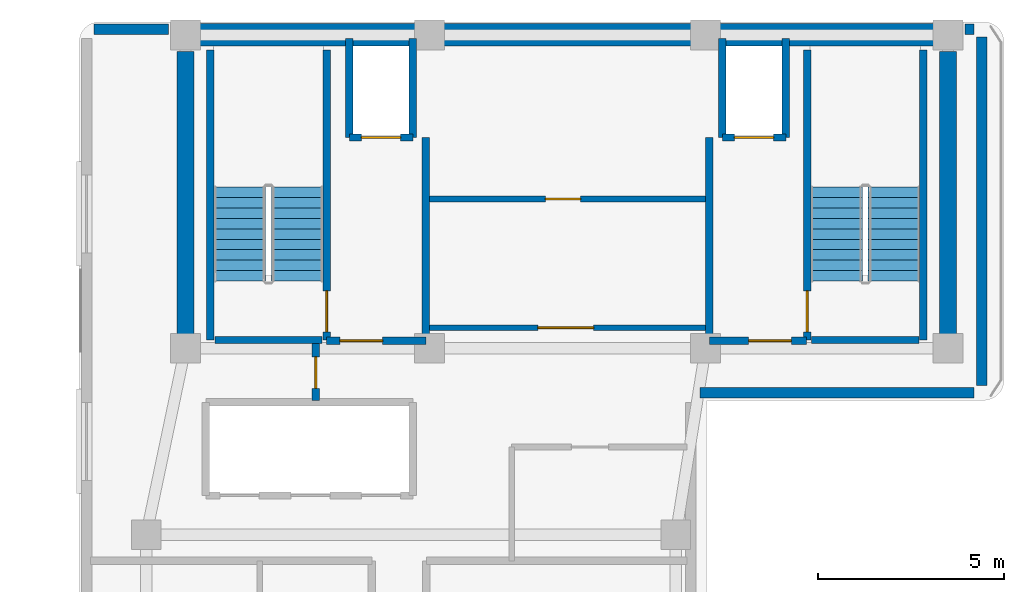
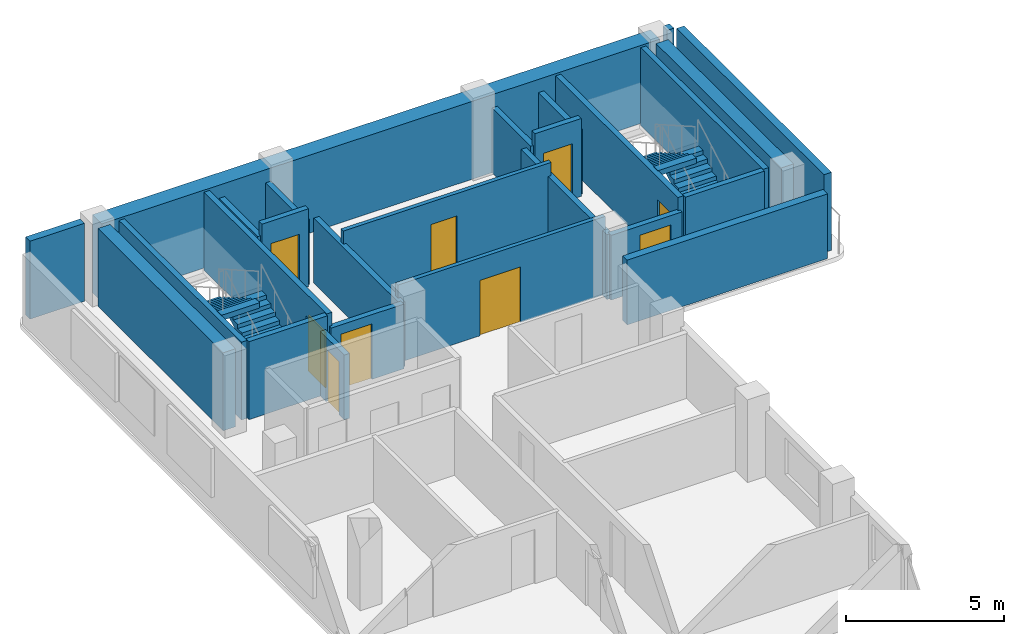
# One storey, part 3 of 5: 26 walls, 9 doors, 4 stair flights, 9 openings, 2 elements without a shape of their own.
"""IFC4 building model written with IfcOpenShell, lengths in metres."""

from ifc_helpers import new_model, si_unit, direction, frame, frame_2d, origin, place, context, subcontext, project, spatial, polyline, rectangle, outline, extrude, material, layer, layer_set, type_object, element, fill, aggregate, save


model = new_model("IFC4")

# Units and contexts
model_context = context("Model", 3, precision=1e-05, world=origin(), true_north=direction((0.0, 1.0)))
body_context = subcontext(model_context, "Body", "Model", "MODEL_VIEW")
ifc_project = project(units=[si_unit("LENGTHUNIT", "METRE"), si_unit("AREAUNIT", "SQUARE_METRE"), si_unit("VOLUMEUNIT", "CUBIC_METRE"), si_unit("PLANEANGLEUNIT", "RADIAN"), si_unit("MASSUNIT", "GRAM", prefix="KILO")], contexts=[model_context])

# Site, building, storey
site_placement = place(None, origin())
site = spatial("IfcSite", under=ifc_project, at=site_placement, CompositionType="ELEMENT")
building_placement = place(site_placement, origin())
building = spatial("IfcBuilding", under=site, at=building_placement, Name="Kuzgunbayir Cultural Tower", CompositionType="ELEMENT")
storey_placement = place(building_placement, frame((0.0, 0.0, 224.800048828125)))
storey = spatial("IfcBuildingStorey", under=building, at=storey_placement, Name="L66", CompositionType="ELEMENT", Elevation=224.800048828125)

# Walls
ifc_material_1 = material(Name="Concrete C50/60", Category="concrete")
ifc_layer_1 = layer(ifc_material_1, 0.449951171875)
ifc_layer_set_1 = layer_set([ifc_layer_1], Name="Concrete C50/60")
wall_type_1 = type_object("IfcWallType", Name="WAL-CORE-450", PredefinedType="SHEAR", material=ifc_layer_set_1)
for number, where, z_axis, x_axis, name in (
    (1, (6.449951171875, 33.800048828125, 0.0), (0.0, 0.0, 1.0), (0.0, 1.0, 0.0), "L66 T1 Core West Shear Wall"),
    (2, (26.89990234375, 33.800048828125, 0.0), (0.0, 0.0, 1.0), (0.0, 1.0, 0.0), "L66 T1 Core East Shear Wall"),
):
    element("IfcWall", number, at=place(storey_placement, frame(where, z_axis=z_axis, x_axis=x_axis)), inside=storey, type_object=wall_type_1, Name=name, PredefinedType="SHEAR", context=body_context, shape_type="SweptSolid", body=[
        extrude(rectangle(XDim=7.949951171875, YDim=0.449951171875, at=frame_2d((3.97509765625, 0.0))), origin(), (0.0, 0.0, 1.0), 3.02001953125),
    ])
ifc_material_2 = material(Name="Concrete C60/75", Category="concrete")
ifc_layer_2 = layer(ifc_material_2, 0.60009765625)
ifc_layer_set_2 = layer_set([ifc_layer_2], Name="Concrete C60/75")
wall_type_2 = type_object("IfcWallType", Name="WAL-CORE-600", PredefinedType="SHEAR", material=ifc_layer_set_2)
wall_1_placement = place(storey_placement, frame((6.449951171875, 42.199951171875, 0.0), z_axis=(0.0, 0.0, 1.0), x_axis=(1.0, 0.0, 0.0)))
element("IfcWall", 3, at=wall_1_placement, inside=storey, type_object=wall_type_2, Name="L66 T1 Core North Shear Wall", PredefinedType="SHEAR", context=body_context, shape_type="SweptSolid", body=[
    extrude(rectangle(XDim=20.449951171875, YDim=0.60009765625, at=frame_2d((10.22509765625, 0.0))), origin(), (0.0, 0.0, 1.0), 3.02001953125),
])
ifc_material_3 = material(Name="Anatolian Cream Limestone", Category="masonry")
ifc_layer_3 = layer(ifc_material_3, 0.280029296875)
ifc_layer_set_3 = layer_set([ifc_layer_3], Name="Anatolian Cream Limestone")
wall_type_3 = type_object("IfcWallType", Name="WAL-EXT-STONE-280", PredefinedType="STANDARD", material=ifc_layer_set_3)
wall_2_placement = place(storey_placement, frame((27.60009765625, 42.35009765625, 0.0), z_axis=(0.0, 0.0, 1.0), x_axis=(-1.0, 0.0, 0.0)))
element("IfcWall", 4, at=wall_2_placement, inside=storey, type_object=wall_type_3, Name="L66 North Wing B Limestone Wall", PredefinedType="STANDARD", context=body_context, shape_type="SweptSolid", body=[
    extrude(rectangle(XDim=0.25, YDim=0.280029296875, at=frame_2d((0.125, 0.0))), origin(), (0.0, 0.0, 1.0), 3.02001953125),
])
wall_3_placement = place(storey_placement, frame((6.0, 42.35009765625, 0.0), z_axis=(0.0, 0.0, 1.0), x_axis=(-1.0, 0.0, 0.0)))
element("IfcWall", 5, at=wall_3_placement, inside=storey, type_object=wall_type_3, Name="L66 Core North-West Spandrel Link", PredefinedType="STANDARD", context=body_context, shape_type="SweptSolid", body=[
    extrude(rectangle(XDim=2.0, YDim=0.280029296875, at=frame_2d((1.0, 0.0))), origin(), (0.0, 0.0, 1.0), 3.02001953125),
])
wall_4_placement = place(storey_placement, frame((27.800048828125, 32.800048828125, 0.0), z_axis=(0.0, 0.0, 1.0), x_axis=(0.0, 1.0, 0.0)))
element("IfcWall", 6, at=wall_4_placement, inside=storey, type_object=wall_type_3, Name="L66 Rear Core East Limestone Wall", PredefinedType="STANDARD", context=body_context, shape_type="SweptSolid", body=[
    extrude(rectangle(XDim=9.349853515625, YDim=0.280029296875, at=frame_2d((4.6748046875, 0.0))), origin(), (0.0, 0.0, 1.0), 3.02001953125),
])
wall_5_placement = place(storey_placement, frame((20.25, 32.60009765625, 0.0), z_axis=(0.0, 0.0, 1.0), x_axis=(1.0, 0.0, 0.0)))
element("IfcWall", 7, at=wall_5_placement, inside=storey, type_object=wall_type_3, Name="L66 Core South Soffit Wall", PredefinedType="STANDARD", context=body_context, shape_type="SweptSolid", body=[
    extrude(rectangle(XDim=7.35009765625, YDim=0.280029296875, at=frame_2d((3.675048828125, 0.0))), origin(), (0.0, 0.0, 1.0), 2.510009765625),
])

# Wall, opening, door
ifc_material_4 = material(Name="Acoustic Double-Stud Drywall", Category="gypsum")
ifc_layer_4 = layer(ifc_material_4, 0.14990234375)
ifc_layer_set_4 = layer_set([ifc_layer_4], Name="Acoustic Double-Stud Drywall")
wall_type_4 = type_object("IfcWallType", Name="WAL-PART-ACOUSTIC-150", PredefinedType="PARTITIONING", material=ifc_layer_set_4)
wall_6_placement = place(storey_placement, frame((12.89990234375, 34.35009765625, 0.0), z_axis=(0.0, 0.0, 1.0), x_axis=(1.0, 0.0, 0.0)))
wall_6 = element("IfcWall", 8, at=wall_6_placement, inside=storey, type_object=wall_type_4, Name="L66 Sky Core South Wall", PredefinedType="PARTITIONING", context=body_context, shape_type="SweptSolid", body=[
    extrude(rectangle(XDim=7.60009765625, YDim=0.14990234375, at=frame_2d((3.800048828125, 0.0))), origin(), (0.0, 0.0, 1.0), 3.02001953125),
])
opening_1_placement = place(wall_6_placement, frame((3.0, 0.0, 0.0)))
opening_1 = element("IfcOpeningElement", 9, at=opening_1_placement, cuts=wall_6, Name="Opening DC-150", PredefinedType="OPENING", context=body_context, shape_type="SweptSolid", body=[
    extrude(rectangle(XDim=1.5, YDim=2.14990234375, at=frame_2d((0.75, 1.074951171875))), frame((0.0, 0.0849609375, 0.0), z_axis=(0.0, -1.0, 0.0), x_axis=(1.0, 0.0, 0.0)), (0.0, 0.0, 1.0), 0.169921875),
])
ifc_material_5 = material(Name="Fire-Rated Veneered Oak Double Leaf", Category="wood")
door_type_1 = type_object("IfcDoorType", Name="DR-CORE-150", OperationType="DOUBLE_DOOR_SINGLE_SWING", PredefinedType="DOOR", material=ifc_material_5)
door_1_placement = place(opening_1_placement, origin())
door_1 = element("IfcDoor", 10, at=door_1_placement, inside=storey, type_object=door_type_1, Name="L66 Sky Conservatory Double Door", OperationType="DOUBLE_DOOR_SINGLE_SWING", OverallHeight=2.14990234375, OverallWidth=1.5, PredefinedType="DOOR", context=body_context, shape_type="SweptSolid", body=[
    extrude(rectangle(XDim=1.5, YDim=2.14990234375, at=frame_2d((0.75, 1.074951171875))), frame((0.0, 0.02490234375, 0.0), z_axis=(0.0, -1.0, 0.0), x_axis=(1.0, 0.0, 0.0)), (0.0, 0.0, 1.0), 0.050048828125),
])
fill(opening_1, door_1)

wall_7_placement = place(storey_placement, frame((12.89990234375, 37.800048828125, 0.0), z_axis=(0.0, 0.0, 1.0), x_axis=(1.0, 0.0, 0.0)))
wall_7 = element("IfcWall", 11, at=wall_7_placement, inside=storey, type_object=wall_type_4, Name="L66 Sky Core Mid Wall", PredefinedType="PARTITIONING", context=body_context, shape_type="SweptSolid", body=[
    extrude(rectangle(XDim=7.60009765625, YDim=0.14990234375, at=frame_2d((3.800048828125, 0.0))), origin(), (0.0, 0.0, 1.0), 3.02001953125),
])
opening_2_placement = place(wall_7_placement, frame((3.199951171875, 0.0, 0.0)))
opening_2 = element("IfcOpeningElement", 12, at=opening_2_placement, cuts=wall_7, Name="Opening DC-95", PredefinedType="OPENING", context=body_context, shape_type="SweptSolid", body=[
    extrude(rectangle(XDim=0.949951171875, YDim=2.14990234375, at=frame_2d((0.47509765625, 1.074951171875))), frame((0.0, 0.0849609375, 0.0), z_axis=(0.0, -1.0, 0.0), x_axis=(1.0, 0.0, 0.0)), (0.0, 0.0, 1.0), 0.169921875),
])
ifc_material_6 = material(Name="Fire-Rated Veneered Oak Leaf", Category="wood")
door_type_2 = type_object("IfcDoorType", Name="DR-CORE-95", OperationType="NOTDEFINED", PredefinedType="DOOR", material=ifc_material_6)
door_2_placement = place(opening_2_placement, origin())
door_2 = element("IfcDoor", 13, at=door_2_placement, inside=storey, type_object=door_type_2, Name="L66 Core Archive Door", OperationType="SINGLE_SWING_LEFT", OverallHeight=2.14990234375, OverallWidth=0.949951171875, PredefinedType="DOOR", context=body_context, shape_type="SweptSolid", body=[
    extrude(rectangle(XDim=0.949951171875, YDim=2.14990234375, at=frame_2d((0.47509765625, 1.074951171875))), frame((0.0, 0.02490234375, 0.0), z_axis=(0.0, -1.0, 0.0), x_axis=(1.0, 0.0, 0.0)), (0.0, 0.0, 1.0), 0.050048828125),
])
fill(opening_2, door_2)

# Wall
ifc_material_7 = material(Name="Aerated Concrete Blockwork", Category="masonry")
ifc_layer_5 = layer(ifc_material_7, 0.199951171875)
ifc_layer_set_5 = layer_set([ifc_layer_5], Name="Aerated Concrete Blockwork")
wall_type_5 = type_object("IfcWallType", Name="WAL-PART-FIRE-200", PredefinedType="PARTITIONING", material=ifc_layer_set_5)
wall_8_placement = place(storey_placement, frame((12.89990234375, 34.0, 0.0), z_axis=(0.0, 0.0, 1.0), x_axis=(0.0, 1.0, 0.0)))
element("IfcWall", 14, at=wall_8_placement, inside=storey, type_object=wall_type_5, Name="L66 FFL-1 Lobby East Fire Wall", PredefinedType="PARTITIONING", context=body_context, shape_type="SweptSolid", body=[
    extrude(rectangle(XDim=5.449951171875, YDim=0.199951171875, at=frame_2d((2.72509765625, 0.0))), origin(), (0.0, 0.0, 1.0), 2.510009765625),
])

# Wall, opening, door
wall_9_placement = place(storey_placement, frame((10.239990234375, 34.0, 0.0), z_axis=(0.0, 0.0, 1.0), x_axis=(1.0, 0.0, 0.0)))
wall_9 = element("IfcWall", 15, at=wall_9_placement, inside=storey, type_object=wall_type_5, Name="L66 FFL-1 Lobby South Fire Wall", PredefinedType="PARTITIONING", context=body_context, shape_type="SweptSolid", body=[
    extrude(rectangle(XDim=2.659912109375, YDim=0.199951171875, at=frame_2d((1.330078125, 0.0))), origin(), (0.0, 0.0, 1.0), 2.510009765625),
])
opening_3_placement = place(wall_9_placement, frame((0.35009765625, 0.0, 0.0)))
opening_3 = element("IfcOpeningElement", 16, at=opening_3_placement, cuts=wall_9, Name="Opening DR-FFL-90", PredefinedType="OPENING", context=body_context, shape_type="SweptSolid", body=[
    extrude(rectangle(XDim=1.14990234375, YDim=2.14990234375, at=frame_2d((0.574951171875, 1.074951171875))), frame((0.0, 0.10986328125, 0.0), z_axis=(0.0, -1.0, 0.0), x_axis=(1.0, 0.0, 0.0)), (0.0, 0.0, 1.0), 0.219970703125),
])
ifc_material_8 = material(Name="Steel S355J2", Category="steel")
door_type_3 = type_object("IfcDoorType", Name="DR-FFL-90", OperationType="NOTDEFINED", PredefinedType="DOOR", material=ifc_material_8)
door_3_placement = place(opening_3_placement, origin())
door_3 = element("IfcDoor", 17, at=door_3_placement, inside=storey, type_object=door_type_3, Name="L66 Firefighting Lobby 1 Door", OperationType="SINGLE_SWING_RIGHT", OverallHeight=2.14990234375, OverallWidth=1.14990234375, PredefinedType="DOOR", context=body_context, shape_type="SweptSolid", body=[
    extrude(rectangle(XDim=1.14990234375, YDim=2.14990234375, at=frame_2d((0.574951171875, 1.074951171875))), frame((0.0, 0.02490234375, 0.0), z_axis=(0.0, -1.0, 0.0), x_axis=(1.0, 0.0, 0.0)), (0.0, 0.0, 1.0), 0.050048828125),
])
fill(opening_3, door_3)

# Wall
wall_10_placement = place(storey_placement, frame((20.5, 34.0, 0.0), z_axis=(0.0, 0.0, 1.0), x_axis=(0.0, 1.0, 0.0)))
element("IfcWall", 18, at=wall_10_placement, inside=storey, type_object=wall_type_5, Name="L66 FFL-2 Lobby West Fire Wall", PredefinedType="PARTITIONING", context=body_context, shape_type="SweptSolid", body=[
    extrude(rectangle(XDim=5.449951171875, YDim=0.199951171875, at=frame_2d((2.72509765625, 0.0))), origin(), (0.0, 0.0, 1.0), 2.510009765625),
])

# Wall, opening, door
wall_11_placement = place(storey_placement, frame((20.5, 34.0, 0.0), z_axis=(0.0, 0.0, 1.0), x_axis=(1.0, 0.0, 0.0)))
wall_11 = element("IfcWall", 19, at=wall_11_placement, inside=storey, type_object=wall_type_5, Name="L66 FFL-2 Lobby South Fire Wall", PredefinedType="PARTITIONING", context=body_context, shape_type="SweptSolid", body=[
    extrude(rectangle(XDim=2.60009765625, YDim=0.199951171875, at=frame_2d((1.300048828125, 0.0))), origin(), (0.0, 0.0, 1.0), 2.510009765625),
])
opening_4_placement = place(wall_11_placement, frame((1.050048828125, 0.0, 0.0)))
opening_4 = element("IfcOpeningElement", 20, at=opening_4_placement, cuts=wall_11, Name="Opening DR-FFL-90", PredefinedType="OPENING", context=body_context, shape_type="SweptSolid", body=[
    extrude(rectangle(XDim=1.14990234375, YDim=2.14990234375, at=frame_2d((0.574951171875, 1.074951171875))), frame((0.0, 0.10986328125, 0.0), z_axis=(0.0, -1.0, 0.0), x_axis=(1.0, 0.0, 0.0)), (0.0, 0.0, 1.0), 0.219970703125),
])
door_4_placement = place(opening_4_placement, origin())
door_4 = element("IfcDoor", 21, at=door_4_placement, inside=storey, type_object=door_type_3, Name="L66 Firefighting Lobby 2 Door", OperationType="SINGLE_SWING_LEFT", OverallHeight=2.14990234375, OverallWidth=1.14990234375, PredefinedType="DOOR", context=body_context, shape_type="SweptSolid", body=[
    extrude(rectangle(XDim=1.14990234375, YDim=2.14990234375, at=frame_2d((0.574951171875, 1.074951171875))), frame((0.0, 0.02490234375, 0.0), z_axis=(0.0, -1.0, 0.0), x_axis=(1.0, 0.0, 0.0)), (0.0, 0.0, 1.0), 0.050048828125),
])
fill(opening_4, door_4)

wall_12_placement = place(storey_placement, frame((9.949951171875, 32.39990234375, 0.0), z_axis=(0.0, 0.0, 1.0), x_axis=(0.0, 1.0, 0.0)))
wall_12 = element("IfcWall", 22, at=wall_12_placement, inside=storey, type_object=wall_type_5, Name="L66 West Core Service Closet Wall", PredefinedType="PARTITIONING", context=body_context, shape_type="SweptSolid", body=[
    extrude(rectangle(XDim=1.52001953125, YDim=0.199951171875, at=frame_2d((0.760009765625, 0.0))), origin(), (0.0, 0.0, 1.0), 2.510009765625),
])
opening_5_placement = place(wall_12_placement, frame((0.320068359375, 0.0, 0.0)))
opening_5 = element("IfcOpeningElement", 23, at=opening_5_placement, cuts=wall_12, Name="Opening DR-RSR-60", PredefinedType="OPENING", context=body_context, shape_type="SweptSolid", body=[
    extrude(rectangle(XDim=0.85009765625, YDim=2.050048828125, at=frame_2d((0.425048828125, 1.02490234375))), frame((0.0, 0.10986328125, 0.0), z_axis=(0.0, -1.0, 0.0), x_axis=(1.0, 0.0, 0.0)), (0.0, 0.0, 1.0), 0.219970703125),
])
ifc_material_9 = material(Name="Steel Access Leaf", Category="steel")
door_type_4 = type_object("IfcDoorType", Name="DR-RISER-60", OperationType="NOTDEFINED", PredefinedType="DOOR", material=ifc_material_9)
door_5_placement = place(opening_5_placement, origin())
door_5 = element("IfcDoor", 24, at=door_5_placement, inside=storey, type_object=door_type_4, Name="L66 Cleaner Utility Store Door", OperationType="SINGLE_SWING_RIGHT", OverallHeight=2.050048828125, OverallWidth=0.85009765625, PredefinedType="DOOR", context=body_context, shape_type="SweptSolid", body=[
    extrude(rectangle(XDim=0.85009765625, YDim=2.050048828125, at=frame_2d((0.425048828125, 1.02490234375))), frame((0.0, 0.02490234375, 0.0), z_axis=(0.0, -1.0, 0.0), x_axis=(1.0, 0.0, 0.0)), (0.0, 0.0, 1.0), 0.050048828125),
])
fill(opening_5, door_5)

ifc_material_10 = material(Name="Concrete C40/50", Category="concrete")
ifc_layer_6 = layer(ifc_material_10, 0.199951171875)
ifc_layer_set_6 = layer_set([ifc_layer_6], Name="Concrete C40/50")
wall_type_6 = type_object("IfcWallType", Name="WAL-SHAFT-200", PredefinedType="MOVABLE", material=ifc_layer_set_6)
wall_13_placement = place(storey_placement, frame((10.85009765625, 39.449951171875, 0.0), z_axis=(0.0, 0.0, 1.0), x_axis=(1.0, 0.0, 0.0)))
wall_13 = element("IfcWall", 25, at=wall_13_placement, inside=storey, type_object=wall_type_6, Name="L66 FFL-1 Lift Front Wall", PredefinedType="MOVABLE", context=body_context, shape_type="SweptSolid", body=[
    extrude(rectangle(XDim=1.699951171875, YDim=0.199951171875, at=frame_2d((0.85009765625, 0.0))), origin(), (0.0, 0.0, 1.0), 3.02001953125),
])
opening_6_placement = place(wall_13_placement, frame((0.320068359375, 0.0, 0.0)))
opening_6 = element("IfcOpeningElement", 26, at=opening_6_placement, cuts=wall_13, Name="Opening LD", PredefinedType="OPENING", context=body_context, shape_type="SweptSolid", body=[
    extrude(rectangle(XDim=1.050048828125, YDim=2.14990234375, at=frame_2d((0.52490234375, 1.074951171875))), frame((0.0, 0.10986328125, 0.0), z_axis=(0.0, -1.0, 0.0), x_axis=(1.0, 0.0, 0.0)), (0.0, 0.0, 1.0), 0.219970703125),
])
ifc_material_11 = material(Name="Brushed Stainless Steel", Category="steel")
door_type_5 = type_object("IfcDoorType", Name="DR-LIFT-LANDING", OperationType="SLIDING_TO_LEFT", PredefinedType="DOOR", material=ifc_material_11)
door_6_placement = place(opening_6_placement, origin())
door_6 = element("IfcDoor", 27, at=door_6_placement, inside=storey, type_object=door_type_5, Name="L66 Lift FFL-1 Landing Door", OperationType="SLIDING_TO_LEFT", OverallHeight=2.14990234375, OverallWidth=1.050048828125, PredefinedType="DOOR", context=body_context, shape_type="SweptSolid", body=[
    extrude(rectangle(XDim=1.050048828125, YDim=2.14990234375, at=frame_2d((0.52490234375, 1.074951171875))), frame((0.0, 0.02490234375, 0.0), z_axis=(0.0, -1.0, 0.0), x_axis=(1.0, 0.0, 0.0)), (0.0, 0.0, 1.0), 0.050048828125),
])
fill(opening_6, door_6)

wall_14_placement = place(storey_placement, frame((20.85009765625, 39.449951171875, 0.0), z_axis=(0.0, 0.0, 1.0), x_axis=(1.0, 0.0, 0.0)))
wall_14 = element("IfcWall", 28, at=wall_14_placement, inside=storey, type_object=wall_type_6, Name="L66 FFL-2 Lift Front Wall", PredefinedType="MOVABLE", context=body_context, shape_type="SweptSolid", body=[
    extrude(rectangle(XDim=1.699951171875, YDim=0.199951171875, at=frame_2d((0.85009765625, 0.0))), origin(), (0.0, 0.0, 1.0), 3.02001953125),
])
opening_7_placement = place(wall_14_placement, frame((0.320068359375, 0.0, 0.0)))
opening_7 = element("IfcOpeningElement", 29, at=opening_7_placement, cuts=wall_14, Name="Opening LD", PredefinedType="OPENING", context=body_context, shape_type="SweptSolid", body=[
    extrude(rectangle(XDim=1.050048828125, YDim=2.14990234375, at=frame_2d((0.52490234375, 1.074951171875))), frame((0.0, 0.10986328125, 0.0), z_axis=(0.0, -1.0, 0.0), x_axis=(1.0, 0.0, 0.0)), (0.0, 0.0, 1.0), 0.219970703125),
])
door_7_placement = place(opening_7_placement, origin())
door_7 = element("IfcDoor", 30, at=door_7_placement, inside=storey, type_object=door_type_5, Name="L66 Lift FFL-2 Landing Door", OperationType="SLIDING_TO_LEFT", OverallHeight=2.14990234375, OverallWidth=1.050048828125, PredefinedType="DOOR", context=body_context, shape_type="SweptSolid", body=[
    extrude(rectangle(XDim=1.050048828125, YDim=2.14990234375, at=frame_2d((0.52490234375, 1.074951171875))), frame((0.0, 0.02490234375, 0.0), z_axis=(0.0, -1.0, 0.0), x_axis=(1.0, 0.0, 0.0)), (0.0, 0.0, 1.0), 0.050048828125),
])
fill(opening_7, door_7)

# Walls
for number, where, z_axis, x_axis, name in (
    (31, (10.85009765625, 39.449951171875, 0.0), (0.0, 0.0, 1.0), (0.0, 1.0, 0.0), "L66 FFL-1 Shaft West Wall"),
    (32, (12.550048828125, 39.449951171875, 0.0), (0.0, 0.0, 1.0), (0.0, 1.0, 0.0), "L66 FFL-1 Shaft East Wall"),
    (33, (20.85009765625, 39.449951171875, 0.0), (0.0, 0.0, 1.0), (0.0, 1.0, 0.0), "L66 FFL-2 Shaft West Wall"),
    (34, (22.550048828125, 39.449951171875, 0.0), (0.0, 0.0, 1.0), (0.0, 1.0, 0.0), "L66 FFL-2 Shaft East Wall"),
):
    element("IfcWall", number, at=place(storey_placement, frame(where, z_axis=z_axis, x_axis=x_axis)), inside=storey, type_object=wall_type_6, Name=name, PredefinedType="MOVABLE", context=body_context, shape_type="SweptSolid", body=[
        extrude(rectangle(XDim=2.650146484375, YDim=0.199951171875, at=frame_2d((1.3251953125, 0.0))), origin(), (0.0, 0.0, 1.0), 2.510009765625),
    ])
ifc_layer_7 = layer(ifc_material_10, 0.199951171875)
ifc_layer_set_7 = layer_set([ifc_layer_7], Name="Concrete C40/50")
wall_type_7 = type_object("IfcWallType", Name="WAL-STAIR-RC-200", PredefinedType="SHEAR", material=ifc_layer_set_7)
wall_15_placement = place(storey_placement, frame((7.1201171875, 34.02001953125, 0.0), z_axis=(0.0, 0.0, 1.0), x_axis=(0.0, 1.0, 0.0)))
element("IfcWall", 35, at=wall_15_placement, inside=storey, type_object=wall_type_7, Name="L66 Stair ST-1 West Structural Wall", PredefinedType="SHEAR", context=body_context, shape_type="SweptSolid", body=[
    extrude(rectangle(XDim=7.780029296875, YDim=0.199951171875, at=frame_2d((3.89013671875, 0.0))), origin(), (0.0, 0.0, 1.0), 3.02001953125),
])

# Wall, opening, door
wall_16_placement = place(storey_placement, frame((10.239990234375, 34.02001953125, 0.0), z_axis=(0.0, 0.0, 1.0), x_axis=(0.0, 1.0, 0.0)))
wall_16 = element("IfcWall", 36, at=wall_16_placement, inside=storey, type_object=wall_type_7, Name="L66 Stair ST-1 East Structural Wall", PredefinedType="SHEAR", context=body_context, shape_type="SweptSolid", body=[
    extrude(rectangle(XDim=7.780029296875, YDim=0.199951171875, at=frame_2d((3.89013671875, 0.0))), origin(), (0.0, 0.0, 1.0), 3.02001953125),
])
opening_8_placement = place(wall_16_placement, frame((0.219970703125, 0.0, 0.0)))
opening_8 = element("IfcOpeningElement", 37, at=opening_8_placement, cuts=wall_16, Name="Opening DR-STAIR-90", PredefinedType="OPENING", context=body_context, shape_type="SweptSolid", body=[
    extrude(rectangle(XDim=1.10009765625, YDim=2.14990234375, at=frame_2d((0.550048828125, 1.074951171875))), frame((0.0, 0.10986328125, 0.0), z_axis=(0.0, -1.0, 0.0), x_axis=(1.0, 0.0, 0.0)), (0.0, 0.0, 1.0), 0.219970703125),
])
door_type_6 = type_object("IfcDoorType", Name="DR-STAIR-90", OperationType="NOTDEFINED", PredefinedType="DOOR", material=ifc_material_8)
door_8_placement = place(opening_8_placement, origin())
door_8 = element("IfcDoor", 38, at=door_8_placement, inside=storey, type_object=door_type_6, Name="L66 Stair ST-1 Fire Door", OperationType="SINGLE_SWING_RIGHT", OverallHeight=2.14990234375, OverallWidth=1.10009765625, PredefinedType="DOOR", context=body_context, shape_type="SweptSolid", body=[
    extrude(rectangle(XDim=1.10009765625, YDim=2.14990234375, at=frame_2d((0.550048828125, 1.074951171875))), frame((0.0, 0.02490234375, 0.0), z_axis=(0.0, -1.0, 0.0), x_axis=(1.0, 0.0, 0.0)), (0.0, 0.0, 1.0), 0.050048828125),
])
fill(opening_8, door_8)

# Wall
wall_17_placement = place(storey_placement, frame((7.239990234375, 34.02001953125, 0.0), z_axis=(0.0, 0.0, 1.0), x_axis=(1.0, 0.0, 0.0)))
element("IfcWall", 39, at=wall_17_placement, inside=storey, type_object=wall_type_7, Name="L66 Stair ST-1 South Structural Wall", PredefinedType="SHEAR", context=body_context, shape_type="SweptSolid", body=[
    extrude(rectangle(XDim=2.880126953125, YDim=0.199951171875, at=frame_2d((1.43994140625, 0.0))), origin(), (0.0, 0.0, 1.0), 3.02001953125),
])

# Wall, opening, door
wall_18_placement = place(storey_placement, frame((23.1201171875, 34.02001953125, 0.0), z_axis=(0.0, 0.0, 1.0), x_axis=(0.0, 1.0, 0.0)))
wall_18 = element("IfcWall", 40, at=wall_18_placement, inside=storey, type_object=wall_type_7, Name="L66 Stair ST-2 West Structural Wall", PredefinedType="SHEAR", context=body_context, shape_type="SweptSolid", body=[
    extrude(rectangle(XDim=7.780029296875, YDim=0.199951171875, at=frame_2d((3.89013671875, 0.0))), origin(), (0.0, 0.0, 1.0), 3.02001953125),
])
opening_9_placement = place(wall_18_placement, frame((0.219970703125, 0.0, 0.0)))
opening_9 = element("IfcOpeningElement", 41, at=opening_9_placement, cuts=wall_18, Name="Opening DR-STAIR-90", PredefinedType="OPENING", context=body_context, shape_type="SweptSolid", body=[
    extrude(rectangle(XDim=1.10009765625, YDim=2.14990234375, at=frame_2d((0.550048828125, 1.074951171875))), frame((0.0, 0.10986328125, 0.0), z_axis=(0.0, -1.0, 0.0), x_axis=(1.0, 0.0, 0.0)), (0.0, 0.0, 1.0), 0.219970703125),
])
door_9_placement = place(opening_9_placement, origin())
door_9 = element("IfcDoor", 42, at=door_9_placement, inside=storey, type_object=door_type_6, Name="L66 Stair ST-2 Fire Door", OperationType="SINGLE_SWING_RIGHT", OverallHeight=2.14990234375, OverallWidth=1.10009765625, PredefinedType="DOOR", context=body_context, shape_type="SweptSolid", body=[
    extrude(rectangle(XDim=1.10009765625, YDim=2.14990234375, at=frame_2d((0.550048828125, 1.074951171875))), frame((0.0, 0.02490234375, 0.0), z_axis=(0.0, -1.0, 0.0), x_axis=(1.0, 0.0, 0.0)), (0.0, 0.0, 1.0), 0.050048828125),
])
fill(opening_9, door_9)

# Walls
wall_19_placement = place(storey_placement, frame((26.239990234375, 34.02001953125, 0.0), z_axis=(0.0, 0.0, 1.0), x_axis=(0.0, 1.0, 0.0)))
element("IfcWall", 43, at=wall_19_placement, inside=storey, type_object=wall_type_7, Name="L66 Stair ST-2 East Structural Wall", PredefinedType="SHEAR", context=body_context, shape_type="SweptSolid", body=[
    extrude(rectangle(XDim=7.780029296875, YDim=0.199951171875, at=frame_2d((3.89013671875, 0.0))), origin(), (0.0, 0.0, 1.0), 3.02001953125),
])
wall_20_placement = place(storey_placement, frame((23.239990234375, 34.02001953125, 0.0), z_axis=(0.0, 0.0, 1.0), x_axis=(1.0, 0.0, 0.0)))
element("IfcWall", 44, at=wall_20_placement, inside=storey, type_object=wall_type_7, Name="L66 Stair ST-2 South Structural Wall", PredefinedType="SHEAR", context=body_context, shape_type="SweptSolid", body=[
    extrude(rectangle(XDim=2.880126953125, YDim=0.199951171875, at=frame_2d((1.43994140625, 0.0))), origin(), (0.0, 0.0, 1.0), 3.02001953125),
])

# Stair, stair flights
stair_type = type_object("IfcStairType", Name="STR-EXIT-CORE", PredefinedType="HALF_TURN_STAIR", material=ifc_material_10)
stair_1_placement = place(storey_placement, origin())
stair_1 = element("IfcStair", 45, at=stair_1_placement, inside=storey, type_object=stair_type, Name="L66 ST-1", PredefinedType="HALF_TURN_STAIR")
stair_flight_type = type_object("IfcStairFlightType", Name="STRF-RC-140", PredefinedType="STRAIGHT", material=ifc_material_10)
stair_flight_1_placement = place(storey_placement, frame((9.4599609375, 35.60009765625, 0.0), z_axis=(0.0, 0.0, 1.0), x_axis=(0.0, 1.0, 0.0)))
stair_flight_1 = element("IfcStairFlight", 46, at=stair_flight_1_placement, type_object=stair_flight_type, Name="ST-1 flight 1", NumberOfRisers=10, NumberOfTreads=9, PredefinedType="STRAIGHT", RiserHeight=0.16, TreadLength=0.28, context=body_context, shape_type="SweptSolid", body=[
    extrude(outline(polyline([(0.0, 0.0), (0.0, 0.159912109375), (0.280029296875, 0.159912109375), (0.280029296875, 0.320068359375), (0.56005859375, 0.320068359375), (0.56005859375, 0.47998046875), (0.840087890625, 0.47998046875), (0.840087890625, 0.639892578125), (1.1201171875, 0.639892578125), (1.1201171875, 0.800048828125), (1.39990234375, 0.800048828125), (1.39990234375, 0.9599609375), (1.679931640625, 0.9599609375), (1.679931640625, 1.1201171875), (1.9599609375, 1.1201171875), (1.9599609375, 1.280029296875), (2.239990234375, 1.280029296875), (2.239990234375, 1.43994140625), (2.52001953125, 1.43994140625), (2.52001953125, 1.60009765625), (2.52001953125, 1.232666015625), (0.362548828125, 0.0), (0.0, 0.0)])), frame((0.0, 0.699951171875, 0.0), z_axis=(0.0, -1.0, 0.0), x_axis=(1.0, 0.0, 0.0)), (0.0, 0.0, 1.0), 1.39990234375),
])
stair_flight_2_placement = place(storey_placement, frame((7.89990234375, 38.1201171875, 1.599853515625), z_axis=(0.0, 0.0, 1.0), x_axis=(0.0, -1.0, 0.0)))
stair_flight_2 = element("IfcStairFlight", 47, at=stair_flight_2_placement, type_object=stair_flight_type, Name="ST-1 flight 2", NumberOfRisers=10, NumberOfTreads=9, PredefinedType="STRAIGHT", RiserHeight=0.16, TreadLength=0.28, context=body_context, shape_type="SweptSolid", body=[
    extrude(outline(polyline([(0.0, 0.0), (0.0, 0.159912109375), (0.280029296875, 0.159912109375), (0.280029296875, 0.320068359375), (0.56005859375, 0.320068359375), (0.56005859375, 0.47998046875), (0.840087890625, 0.47998046875), (0.840087890625, 0.639892578125), (1.1201171875, 0.639892578125), (1.1201171875, 0.800048828125), (1.39990234375, 0.800048828125), (1.39990234375, 0.9599609375), (1.679931640625, 0.9599609375), (1.679931640625, 1.1201171875), (1.9599609375, 1.1201171875), (1.9599609375, 1.280029296875), (2.239990234375, 1.280029296875), (2.239990234375, 1.43994140625), (2.52001953125, 1.43994140625), (2.52001953125, 1.60009765625), (2.52001953125, 1.232666015625), (0.362548828125, 0.0), (0.0, 0.0)])), frame((0.0, 0.699951171875, 0.0), z_axis=(0.0, -1.0, 0.0), x_axis=(1.0, 0.0, 0.0)), (0.0, 0.0, 1.0), 1.39990234375),
])
aggregate(stair_1, [stair_flight_1, stair_flight_2])

stair_2_placement = place(storey_placement, origin())
stair_2 = element("IfcStair", 48, at=stair_2_placement, inside=storey, type_object=stair_type, Name="L66 ST-2", PredefinedType="HALF_TURN_STAIR")
stair_flight_3_placement = place(storey_placement, frame((25.4599609375, 35.60009765625, 0.0), z_axis=(0.0, 0.0, 1.0), x_axis=(0.0, 1.0, 0.0)))
stair_flight_3 = element("IfcStairFlight", 49, at=stair_flight_3_placement, type_object=stair_flight_type, Name="ST-2 flight 1", NumberOfRisers=10, NumberOfTreads=9, PredefinedType="STRAIGHT", RiserHeight=0.16, TreadLength=0.28, context=body_context, shape_type="SweptSolid", body=[
    extrude(outline(polyline([(0.0, 0.0), (0.0, 0.159912109375), (0.280029296875, 0.159912109375), (0.280029296875, 0.320068359375), (0.56005859375, 0.320068359375), (0.56005859375, 0.47998046875), (0.840087890625, 0.47998046875), (0.840087890625, 0.639892578125), (1.1201171875, 0.639892578125), (1.1201171875, 0.800048828125), (1.39990234375, 0.800048828125), (1.39990234375, 0.9599609375), (1.679931640625, 0.9599609375), (1.679931640625, 1.1201171875), (1.9599609375, 1.1201171875), (1.9599609375, 1.280029296875), (2.239990234375, 1.280029296875), (2.239990234375, 1.43994140625), (2.52001953125, 1.43994140625), (2.52001953125, 1.60009765625), (2.52001953125, 1.232666015625), (0.362548828125, 0.0), (0.0, 0.0)])), frame((0.0, 0.699951171875, 0.0), z_axis=(0.0, -1.0, 0.0), x_axis=(1.0, 0.0, 0.0)), (0.0, 0.0, 1.0), 1.39990234375),
])
stair_flight_4_placement = place(storey_placement, frame((23.89990234375, 38.1201171875, 1.599853515625), z_axis=(0.0, 0.0, 1.0), x_axis=(0.0, -1.0, 0.0)))
stair_flight_4 = element("IfcStairFlight", 50, at=stair_flight_4_placement, type_object=stair_flight_type, Name="ST-2 flight 2", NumberOfRisers=10, NumberOfTreads=9, PredefinedType="STRAIGHT", RiserHeight=0.16, TreadLength=0.28, context=body_context, shape_type="SweptSolid", body=[
    extrude(outline(polyline([(0.0, 0.0), (0.0, 0.159912109375), (0.280029296875, 0.159912109375), (0.280029296875, 0.320068359375), (0.56005859375, 0.320068359375), (0.56005859375, 0.47998046875), (0.840087890625, 0.47998046875), (0.840087890625, 0.639892578125), (1.1201171875, 0.639892578125), (1.1201171875, 0.800048828125), (1.39990234375, 0.800048828125), (1.39990234375, 0.9599609375), (1.679931640625, 0.9599609375), (1.679931640625, 1.1201171875), (1.9599609375, 1.1201171875), (1.9599609375, 1.280029296875), (2.239990234375, 1.280029296875), (2.239990234375, 1.43994140625), (2.52001953125, 1.43994140625), (2.52001953125, 1.60009765625), (2.52001953125, 1.232666015625), (0.362548828125, 0.0), (0.0, 0.0)])), frame((0.0, 0.699951171875, 0.0), z_axis=(0.0, -1.0, 0.0), x_axis=(1.0, 0.0, 0.0)), (0.0, 0.0, 1.0), 1.39990234375),
])
aggregate(stair_2, [stair_flight_3, stair_flight_4])

save(model, "model.ifc")
